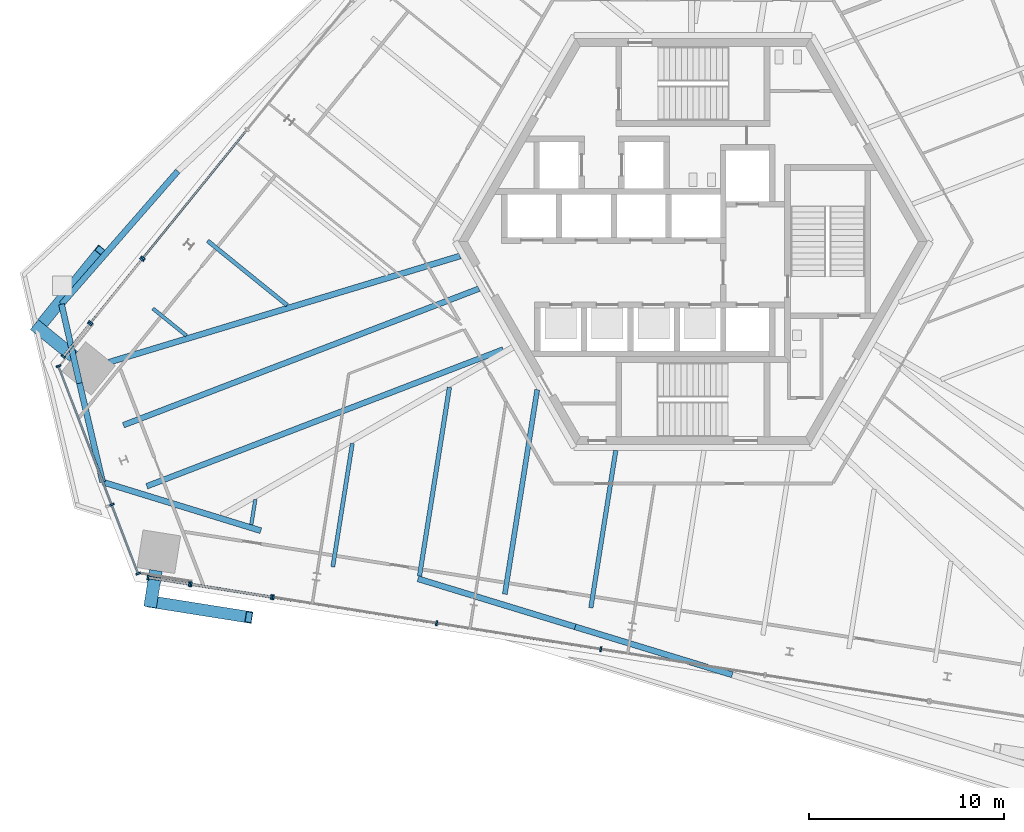
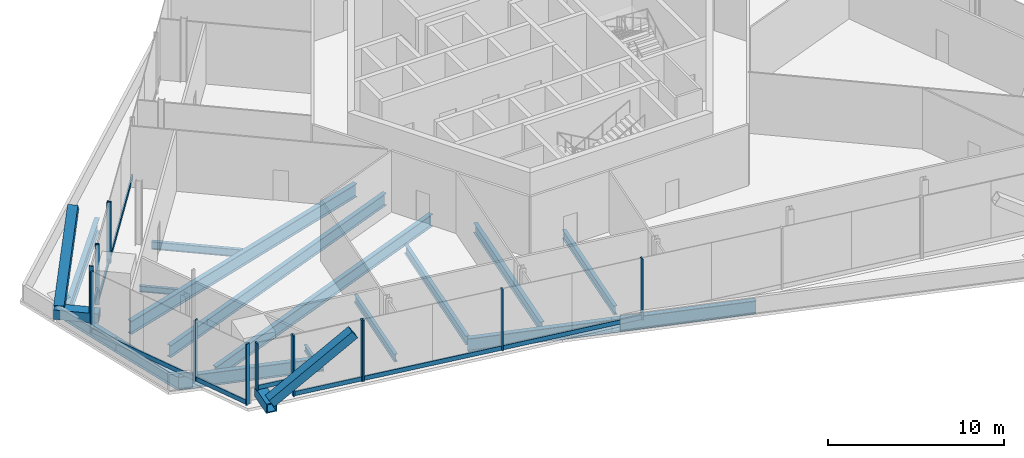
# One storey, part 4 of 22: 28 members, 16 beams, 7 elements without a shape of their own.
"""IFC4 building model written with IfcOpenShell, lengths in metres."""

from ifc_helpers import new_model, si_unit, direction, frame, origin, origin_2d, place, context, subcontext, project, spatial, rectangle, hollow_rectangle, i_section, extrude, source, transform, mapped, material, material_profile, profile_set, type_object, element, aggregate, save


model = new_model("IFC4")

# Units and contexts
model_context = context("Model", 3, precision=1e-05, world=origin(), true_north=direction((0.0, 1.0)))
body_context = subcontext(model_context, "Body", "Model", "MODEL_VIEW")
ifc_project = project(units=[si_unit("LENGTHUNIT", "METRE"), si_unit("AREAUNIT", "SQUARE_METRE"), si_unit("VOLUMEUNIT", "CUBIC_METRE"), si_unit("PLANEANGLEUNIT", "RADIAN"), si_unit("MASSUNIT", "GRAM", prefix="KILO")], contexts=[model_context])

# Site, building, storey
site_placement = place(None, origin())
site = spatial("IfcSite", under=ifc_project, at=site_placement, CompositionType="ELEMENT")
building_placement = place(site_placement, origin())
building = spatial("IfcBuilding", under=site, at=building_placement, Name="Triune Harvest Tower", CompositionType="ELEMENT")
storey_placement = place(building_placement, frame((0.0, 0.0, 138.10009765625)))
storey = spatial("IfcBuildingStorey", under=building, at=storey_placement, Name="L35", CompositionType="ELEMENT", Elevation=138.10009765625)

# Beams
ifc_material_1 = material(Name="Steel ASTM A992 Gr 50", Category="steel")
ifc_material_profile_1 = material_profile(ifc_material_1, i_section(OverallWidth=0.22900390625, OverallDepth=0.612060546875, WebThickness=0.011962890625, FlangeThickness=0.01953125, at=origin_2d()), Name="W24x84")
ifc_profile_set_1 = profile_set([ifc_material_profile_1], Name="Steel ASTM A992 Gr 50")
beam_type_1 = type_object("IfcBeamType", Name="JT-3 Floor joist W24x84", PredefinedType="JOIST", material=ifc_profile_set_1)
beam_1_placement = place(storey_placement, frame((-13.99951171875, -17.12841796875, -0.506103515625), z_axis=(0.15643554781, 0.987688169101, 0.0), x_axis=(-0.987688169101, 0.15643554781, 0.0)))
element("IfcBeam", 1, at=beam_1_placement, inside=storey, type_object=beam_type_1, Name="beam/L35/JT27", PredefinedType="JOIST", context=body_context, shape_type="SweptSolid", body=[
    extrude(i_section(OverallWidth=0.22900390625, OverallDepth=0.612060546875, WebThickness=0.011962890625, FlangeThickness=0.01953125, at=origin_2d()), origin(), (0.0, 0.0, 1.0), 9.780517578125),
])
ifc_material_2 = material(Name="Steel ASTM A992 Gr 50", Category="steel")
ifc_material_profile_2 = material_profile(ifc_material_2, i_section(OverallWidth=0.2919921875, OverallDepth=0.8583984375, WebThickness=0.01708984375, FlangeThickness=0.031005859375, at=origin_2d()), Name="W33x169")
ifc_profile_set_2 = profile_set([ifc_material_profile_2], Name="Steel ASTM A992 Gr 50")
beam_type_2 = type_object("IfcBeamType", Name="JT-7 Floor joist W33x169", PredefinedType="JOIST", material=ifc_profile_set_2)
beam_2_placement = place(storey_placement, frame((-27.962890625, -12.528076171875, -0.62939453125), z_axis=(0.933583330302, 0.358360384783, 0.0), x_axis=(-0.358360384783, 0.933583330302, 0.0)))
element("IfcBeam", 2, at=beam_2_placement, inside=storey, type_object=beam_type_2, Name="beam/L35/JT24", PredefinedType="JOIST", context=body_context, shape_type="SweptSolid", body=[
    extrude(i_section(OverallWidth=0.2919921875, OverallDepth=0.8583984375, WebThickness=0.01708984375, FlangeThickness=0.031005859375, at=origin_2d()), origin(), (0.0, 0.0, 1.0), 19.543701171875),
])
ifc_material_3 = material(Name="Steel ASTM A992 Gr 50", Category="steel")
ifc_material_profile_3 = material_profile(ifc_material_3, i_section(OverallWidth=0.3046875, OverallDepth=0.914306640625, WebThickness=0.0166015625, FlangeThickness=0.02587890625, at=origin_2d()), Name="W36x160")
ifc_profile_set_3 = profile_set([ifc_material_profile_3], Name="Steel ASTM A992 Gr 50")
beam_type_3 = type_object("IfcBeamType", Name="SB-1 Spandrel beam W36x160", PredefinedType="SPANDREL", material=ifc_profile_set_3)
beam_3_placement = place(storey_placement, frame((-26.37451171875, 3.607421875, -0.6572265625), z_axis=(-0.657914230228, -0.75309286656, 0.0), x_axis=(0.75309286656, -0.657914230228, 0.0)))
element("IfcBeam", 3, at=beam_3_placement, inside=storey, type_object=beam_type_3, Name="beam/L35/WB12", PredefinedType="SPANDREL", context=body_context, shape_type="SweptSolid", body=[
    extrude(i_section(OverallWidth=0.3046875, OverallDepth=0.914306640625, WebThickness=0.0166015625, FlangeThickness=0.02587890625, at=origin_2d()), origin(), (0.0, 0.0, 1.0), 9.049560546875),
])
beam_4_placement = place(storey_placement, frame((-32.328369140625, -3.207763671875, -0.6572265625), z_axis=(0.221951891027, -0.97505761782, 0.0), x_axis=(0.97505761782, 0.221951891027, 0.0)))
element("IfcBeam", 4, at=beam_4_placement, inside=storey, type_object=beam_type_3, Name="beam/L35/WB13", PredefinedType="SPANDREL", context=body_context, shape_type="SweptSolid", body=[
    extrude(i_section(OverallWidth=0.3046875, OverallDepth=0.914306640625, WebThickness=0.0166015625, FlangeThickness=0.02587890625, at=origin_2d()), origin(), (0.0, 0.0, 1.0), 4.14697265625),
])
beam_5_placement = place(storey_placement, frame((-31.407958984375, -7.251220703125, -0.6572265625), z_axis=(0.227960284337, -0.973670431288, 0.0), x_axis=(0.973670431288, 0.227960284337, 0.0)))
element("IfcBeam", 5, at=beam_5_placement, inside=storey, type_object=beam_type_3, Name="beam/L35/WB14", PredefinedType="SPANDREL", context=body_context, shape_type="SweptSolid", body=[
    extrude(i_section(OverallWidth=0.3046875, OverallDepth=0.914306640625, WebThickness=0.0166015625, FlangeThickness=0.02587890625, at=origin_2d()), origin(), (0.0, 0.0, 1.0), 5.1962890625),
])

# Curtain wall, members
ifc_material_4 = material(Name="Aluminium bronze anodised", Category="aluminium")
curtain_wall_type_1 = type_object("IfcCurtainWallType", Name="CW-4 Sky lobby tall glazing wall", PredefinedType="NOTDEFINED", material=ifc_material_4)
curtain_wall_1_placement = place(storey_placement, origin())
curtain_wall_1 = element("IfcCurtainWall", 6, at=curtain_wall_1_placement, inside=storey, type_object=curtain_wall_type_1, Name="CW-4 B4-F4 L35 run 1")
ifc_material_5 = material(Name="Aluminium bronze anodised", Category="aluminium")
ifc_material_profile_4 = material_profile(ifc_material_5, rectangle(XDim=0.10009765625, YDim=0.300048828125, at=origin_2d()), Name="TR-4 transom 100 x 300")
ifc_profile_set_4 = profile_set([ifc_material_profile_4], Name="Aluminium bronze anodised")
member_type_1 = type_object("IfcMemberType", Name="TR-4 transom 100 x 300", PredefinedType="USERDEFINED", material=ifc_profile_set_4)
member_1_placement = place(storey_placement, frame((-32.466796875, -6.414306640625, 0.14990234375), z_axis=(0.358380259088, -0.933575701213, 0.0), x_axis=(0.933575701213, 0.358380259088, 0.0)))
member_1 = element("IfcMember", 7, at=member_1_placement, type_object=member_type_1, Name="CW-4 transom B4-F4 1.1", ObjectType="TRANSOM", PredefinedType="USERDEFINED", context=body_context, shape_type="SweptSolid", body=[
    extrude(rectangle(XDim=0.10009765625, YDim=0.300048828125, at=origin_2d()), origin(), (0.0, 0.0, 1.0), 7.513916015625),
])
member_2_placement = place(storey_placement, frame((-29.74169921875, -13.51318359375, 0.14990234375), z_axis=(0.358371544165, -0.933579046644, 0.0), x_axis=(0.933579046644, 0.358371544165, 0.0)))
member_2 = element("IfcMember", 8, at=member_2_placement, type_object=member_type_1, Name="CW-4 transom B4-F4 1.2", ObjectType="TRANSOM", PredefinedType="USERDEFINED", context=body_context, shape_type="SweptSolid", body=[
    extrude(rectangle(XDim=0.10009765625, YDim=0.300048828125, at=origin_2d()), origin(), (0.0, 0.0, 1.0), 3.689697265625),
])

# Beams
shared_shape_1 = source(origin(), body_context, "Body", "SweptSolid", [
    extrude(i_section(OverallWidth=0.3046875, OverallDepth=0.914306640625, WebThickness=0.0166015625, FlangeThickness=0.02587890625, at=origin_2d()), origin(), (0.0, 0.0, 1.0), 8.474609375),
])
beam_6_placement = place(storey_placement, frame((-30.223388671875, -12.310791015625, -0.6572265625), z_axis=(0.955738512563, -0.29421742913, 0.0), x_axis=(0.29421742913, 0.955738512563, 0.0)))
element("IfcBeam", 9, at=beam_6_placement, inside=storey, type_object=beam_type_3, Name="beam/L35/WB15", PredefinedType="SPANDREL", context=body_context, shape_type="MappedRepresentation", body=[
    mapped(shared_shape_1, transform((0.0, 0.0, 0.0), scale=1.0)),
])
shared_shape_2 = source(origin(), body_context, "Body", "SweptSolid", [
    extrude(i_section(OverallWidth=0.3046875, OverallDepth=0.914306640625, WebThickness=0.0166015625, FlangeThickness=0.02587890625, at=origin_2d()), origin(), (0.0, 0.0, 1.0), 8.41455078125),
])
beam_7_placement = place(storey_placement, frame((-6.030517578125, -19.724365234375, -0.6572265625), z_axis=(0.956303808943, -0.292374802267, 0.0), x_axis=(0.292374802267, 0.956303808943, 0.0)))
element("IfcBeam", 10, at=beam_7_placement, inside=storey, type_object=beam_type_3, Name="beam/L35/WB17", PredefinedType="SPANDREL", context=body_context, shape_type="MappedRepresentation", body=[
    mapped(shared_shape_2, transform((0.0, 0.0, 0.0), scale=1.0)),
])
shared_shape_3 = source(origin(), body_context, "Body", "SweptSolid", [
    extrude(i_section(OverallWidth=0.3046875, OverallDepth=0.914306640625, WebThickness=0.0166015625, FlangeThickness=0.02587890625, at=origin_2d()), origin(), (0.0, 0.0, 1.0), 8.414306640625),
])
beam_8_placement = place(storey_placement, frame((-14.0771484375, -17.26416015625, -0.6572265625), z_axis=(0.956301328629, -0.292382914791, 0.0), x_axis=(0.292382914791, 0.956301328629, 0.0)))
element("IfcBeam", 11, at=beam_8_placement, inside=storey, type_object=beam_type_3, Name="beam/L35/WB16", PredefinedType="SPANDREL", context=body_context, shape_type="MappedRepresentation", body=[
    mapped(shared_shape_3, transform((0.0, 0.0, 0.0), scale=1.0)),
])
ifc_material_6 = material(Name="Steel ASTM A992 Gr 50", Category="steel")
ifc_material_profile_5 = material_profile(ifc_material_6, i_section(OverallWidth=0.307373046875, OverallDepth=0.922119140625, WebThickness=0.018310546875, FlangeThickness=0.030029296875, at=origin_2d()), Name="W36x182")
ifc_profile_set_5 = profile_set([ifc_material_profile_5], Name="Steel ASTM A992 Gr 50")
beam_type_4 = type_object("IfcBeamType", Name="HG-2 Hip girder W36x182", PredefinedType="BEAM", material=ifc_profile_set_5)
shared_shape_4 = source(origin(), body_context, "Body", "SweptSolid", [
    extrude(i_section(OverallWidth=0.307373046875, OverallDepth=0.922119140625, WebThickness=0.018310546875, FlangeThickness=0.030029296875, at=origin_2d()), origin(), (0.0, 0.0, 1.0), 18.76123046875),
])
beam_9_placement = place(storey_placement, frame((-29.882080078125, -6.174560546875, -0.6611328125), z_axis=(0.957098686539, 0.289762151126, 0.0), x_axis=(-0.289762151126, 0.957098686539, 0.0)))
element("IfcBeam", 12, at=beam_9_placement, inside=storey, type_object=beam_type_4, Name="beam/L35/HG5", PredefinedType="BEAM", context=body_context, shape_type="MappedRepresentation", body=[
    mapped(shared_shape_4, transform((0.0, 0.0, 0.0), scale=1.0)),
])
ifc_material_7 = material(Name="Steel ASTM A992 Gr 50", Category="steel")
ifc_material_profile_6 = material_profile(ifc_material_7, i_section(OverallWidth=0.180908203125, OverallDepth=0.41650390625, WebThickness=0.010986328125, FlangeThickness=0.01806640625, at=origin_2d()), Name="W16x57")
ifc_profile_set_6 = profile_set([ifc_material_profile_6], Name="Steel ASTM A992 Gr 50")
beam_type_5 = type_object("IfcBeamType", Name="JT-1 Floor joist W16x57", PredefinedType="JOIST", material=ifc_profile_set_6)
shared_shape_5 = source(origin(), body_context, "Body", "SweptSolid", [
    extrude(i_section(OverallWidth=0.180908203125, OverallDepth=0.41650390625, WebThickness=0.010986328125, FlangeThickness=0.01806640625, at=origin_2d()), origin(), (0.0, 0.0, 1.0), 1.304443359375),
])
beam_10_placement = place(storey_placement, frame((-22.61181640625, -14.494384765625, -0.408447265625), z_axis=(0.156471951593, 0.987682402579, 0.0), x_axis=(-0.987682402579, 0.156471951593, 0.0)))
element("IfcBeam", 13, at=beam_10_placement, inside=storey, type_object=beam_type_5, Name="beam/L35/JT25", PredefinedType="JOIST", context=body_context, shape_type="MappedRepresentation", body=[
    mapped(shared_shape_5, transform((0.0, 0.0, 0.0), scale=1.0)),
])
ifc_material_8 = material(Name="Steel ASTM A992 Gr 50", Category="steel")
ifc_material_profile_7 = material_profile(ifc_material_8, i_section(OverallWidth=0.2099609375, OverallDepth=0.535888671875, WebThickness=0.010986328125, FlangeThickness=0.017333984375, at=origin_2d()), Name="W21x68")
ifc_profile_set_7 = profile_set([ifc_material_profile_7], Name="Steel ASTM A992 Gr 50")
beam_type_6 = type_object("IfcBeamType", Name="JT-2 Floor joist W21x68", PredefinedType="JOIST", material=ifc_profile_set_7)
shared_shape_6 = source(origin(), body_context, "Body", "SweptSolid", [
    extrude(i_section(OverallWidth=0.2099609375, OverallDepth=0.535888671875, WebThickness=0.010986328125, FlangeThickness=0.017333984375, at=origin_2d()), origin(), (0.0, 0.0, 1.0), 6.399169921875),
])
beam_11_placement = place(storey_placement, frame((-18.439697265625, -16.657470703125, -0.468017578125), z_axis=(0.156424922472, 0.987689851942, 0.0), x_axis=(-0.987689851942, 0.156424922472, 0.0)))
element("IfcBeam", 14, at=beam_11_placement, inside=storey, type_object=beam_type_6, Name="beam/L35/JT26", PredefinedType="JOIST", context=body_context, shape_type="MappedRepresentation", body=[
    mapped(shared_shape_6, transform((0.0, 0.0, 0.0), scale=1.0)),
])
shared_shape_7 = source(origin(), body_context, "Body", "SweptSolid", [
    extrude(i_section(OverallWidth=0.22900390625, OverallDepth=0.612060546875, WebThickness=0.011962890625, FlangeThickness=0.01953125, at=origin_2d()), origin(), (0.0, 0.0, 1.0), 8.1533203125),
])
beam_12_placement = place(storey_placement, frame((-5.22705078125, -18.75, -0.506103515625), z_axis=(0.156425387356, 0.987689778316, 0.0), x_axis=(-0.987689778316, 0.156425387356, 0.0)))
element("IfcBeam", 15, at=beam_12_placement, inside=storey, type_object=beam_type_1, Name="beam/L35/JT29", PredefinedType="JOIST", context=body_context, shape_type="MappedRepresentation", body=[
    mapped(shared_shape_7, transform((0.0, 0.0, 0.0), scale=1.0)),
])
shared_shape_8 = source(origin(), body_context, "Body", "SweptSolid", [
    extrude(i_section(OverallWidth=0.180908203125, OverallDepth=0.41650390625, WebThickness=0.010986328125, FlangeThickness=0.01806640625, at=origin_2d()), origin(), (0.0, 0.0, 1.0), 2.21484375),
])
beam_13_placement = place(storey_placement, frame((-27.655517578125, -3.425048828125, -0.408447265625), z_axis=(0.777144744874, -0.629321893402, 0.0), x_axis=(0.629321893402, 0.777144744874, 0.0)))
element("IfcBeam", 16, at=beam_13_placement, inside=storey, type_object=beam_type_5, Name="beam/L35/JT22", PredefinedType="JOIST", context=body_context, shape_type="MappedRepresentation", body=[
    mapped(shared_shape_8, transform((0.0, 0.0, 0.0), scale=1.0)),
])
ifc_material_9 = material(Name="Steel ASTM A992 Gr 50", Category="steel")
ifc_material_profile_8 = material_profile(ifc_material_9, i_section(OverallWidth=0.2919921875, OverallDepth=0.8408203125, WebThickness=0.0146484375, FlangeThickness=0.021728515625, at=origin_2d()), Name="W33x130")
ifc_profile_set_8 = profile_set([ifc_material_profile_8], Name="Steel ASTM A992 Gr 50")
beam_type_7 = type_object("IfcBeamType", Name="JT-6 Floor joist W33x130", PredefinedType="JOIST", material=ifc_profile_set_8)
shared_shape_9 = source(origin(), body_context, "Body", "SweptSolid", [
    extrude(i_section(OverallWidth=0.2919921875, OverallDepth=0.8408203125, WebThickness=0.0146484375, FlangeThickness=0.021728515625, at=origin_2d()), origin(), (0.0, 0.0, 1.0), 19.49951171875),
])
beam_14_placement = place(storey_placement, frame((-29.163330078125, -9.400634765625, -0.62060546875), z_axis=(0.933579679922, 0.358369894433, 0.0), x_axis=(-0.358369894433, 0.933579679922, 0.0)))
element("IfcBeam", 17, at=beam_14_placement, inside=storey, type_object=beam_type_7, Name="beam/L35/JT23", PredefinedType="JOIST", context=body_context, shape_type="MappedRepresentation", body=[
    mapped(shared_shape_9, transform((0.0, 0.0, 0.0), scale=1.0)),
])
ifc_material_10 = material(Name="Steel ASTM A992 Gr 50", Category="steel")
ifc_material_profile_9 = material_profile(ifc_material_10, i_section(OverallWidth=0.253662109375, OverallDepth=0.683349609375, WebThickness=0.012451171875, FlangeThickness=0.01904296875, at=origin_2d()), Name="W27x94")
ifc_profile_set_9 = profile_set([ifc_material_profile_9], Name="Steel ASTM A992 Gr 50")
beam_type_8 = type_object("IfcBeamType", Name="JT-4 Floor joist W27x94", PredefinedType="JOIST", material=ifc_profile_set_9)
shared_shape_10 = source(origin(), body_context, "Body", "SweptSolid", [
    extrude(i_section(OverallWidth=0.253662109375, OverallDepth=0.683349609375, WebThickness=0.012451171875, FlangeThickness=0.01904296875, at=origin_2d()), origin(), (0.0, 0.0, 1.0), 10.598876953125),
])
beam_15_placement = place(storey_placement, frame((-9.63134765625, -18.052490234375, -0.541748046875), z_axis=(0.156452261389, 0.987685521766, 0.0), x_axis=(-0.987685521766, 0.156452261389, 0.0)))
element("IfcBeam", 18, at=beam_15_placement, inside=storey, type_object=beam_type_8, Name="beam/L35/JT28", PredefinedType="JOIST", context=body_context, shape_type="MappedRepresentation", body=[
    mapped(shared_shape_10, transform((0.0, 0.0, 0.0), scale=1.0)),
])
shared_shape_11 = source(origin(), body_context, "Body", "SweptSolid", [
    extrude(i_section(OverallWidth=0.2099609375, OverallDepth=0.535888671875, WebThickness=0.010986328125, FlangeThickness=0.017333984375, at=origin_2d()), origin(), (0.0, 0.0, 1.0), 5.239990234375),
])
beam_16_placement = place(storey_placement, frame((-24.849365234375, 0.040283203125, -0.468017578125), z_axis=(0.777150465789, -0.629314828622, 0.0), x_axis=(0.629314828622, 0.777150465789, 0.0)))
element("IfcBeam", 19, at=beam_16_placement, inside=storey, type_object=beam_type_6, Name="beam/L35/JT21", PredefinedType="JOIST", context=body_context, shape_type="MappedRepresentation", body=[
    mapped(shared_shape_11, transform((0.0, 0.0, 0.0), scale=1.0)),
])

# Members
ifc_material_11 = material(Name="Steel ASTM A572 Gr 50", Category="steel")
ifc_material_profile_10 = material_profile(ifc_material_11, hollow_rectangle(XDim=0.64990234375, YDim=0.64990234375, WallThickness=0.070068359375, at=origin_2d()), Name="Box 650x650x70")
ifc_profile_set_10 = profile_set([ifc_material_profile_10], Name="Steel ASTM A572 Gr 50")
member_type_2 = type_object("IfcMemberType", Name="BS-1 Brace stub Box 650x650x70", PredefinedType="STRUT", material=ifc_profile_set_10)
shared_shape_12 = source(origin(), body_context, "Body", "SweptSolid", [
    extrude(hollow_rectangle(XDim=0.64990234375, YDim=0.64990234375, WallThickness=0.070068359375, at=origin_2d()), origin(), (0.0, 0.0, 1.0), 1.893798828125),
])
member_3_placement = place(storey_placement, frame((-27.498291015625, -16.842529296875, 0.599853515625), z_axis=(-0.156512038375, -0.987676051063, 0.0), x_axis=(0.987676051063, -0.156512038375, 0.0)))
element("IfcMember", 20, at=member_3_placement, inside=storey, type_object=member_type_2, Name="brace/B4-F5/stub1", PredefinedType="STRUT", context=body_context, shape_type="MappedRepresentation", body=[
    mapped(shared_shape_12, transform((0.0, 0.0, 0.0), scale=1.0)),
])
ifc_material_12 = material(Name="Steel ASTM A572 Gr 50", Category="steel")
ifc_material_profile_11 = material_profile(ifc_material_12, hollow_rectangle(XDim=0.60009765625, YDim=0.60009765625, WallThickness=0.0400390625, at=origin_2d()), Name="Box 600x600x40")
ifc_profile_set_11 = profile_set([ifc_material_profile_11], Name="Steel ASTM A572 Gr 50")
member_type_3 = type_object("IfcMemberType", Name="BR-2 Brace Box 600x600x40", PredefinedType="BRACE", material=ifc_profile_set_11)
shared_shape_13 = source(origin(), body_context, "Body", "SweptSolid", [
    extrude(hollow_rectangle(XDim=0.60009765625, YDim=0.60009765625, WallThickness=0.0400390625, at=origin_2d()), origin(), (0.0, 0.0, 1.0), 6.1708984375),
])
for number, where, z_axis, x_axis, name in (
    (21, (-33.503173828125, -4.427490234375, 0.889892578125), (0.517604346429, 0.639181825339, 0.568799028404), (-0.777142922883, 0.629324143357, 0.0), "brace/B4-F3/d2/1"),
    (22, (-27.750732421875, -18.436279296875, 0.889892578125), (0.812346519413, -0.128698350346, 0.568796859183), (0.156476335476, 0.98768170806, 0.0), "brace/B4-F5/d1/1"),
):
    element("IfcMember", number, at=place(storey_placement, frame(where, z_axis=z_axis, x_axis=x_axis)), inside=storey, type_object=member_type_3, Name=name, PredefinedType="BRACE", context=body_context, shape_type="MappedRepresentation", body=[
        mapped(shared_shape_13, transform((0.0, 0.0, 0.0), scale=1.0)),
    ])
shared_shape_14 = source(origin(), body_context, "Body", "SweptSolid", [
    extrude(hollow_rectangle(XDim=0.64990234375, YDim=0.64990234375, WallThickness=0.070068359375, at=origin_2d()), origin(), (0.0, 0.0, 1.0), 2.59375),
])
member_4_placement = place(storey_placement, frame((-31.705078125, -5.883544921875, 0.599853515625), z_axis=(-0.777126486899, 0.629344439366, 0.0), x_axis=(-0.629344439366, -0.777126486899, 0.0)))
element("IfcMember", 23, at=member_4_placement, inside=storey, type_object=member_type_2, Name="brace/B4-F3/stub3", PredefinedType="STRUT", context=body_context, shape_type="MappedRepresentation", body=[
    mapped(shared_shape_14, transform((0.0, 0.0, 0.0), scale=1.0)),
])

# Curtain wall, members
ifc_material_13 = material(Name="Aluminium bronze anodised", Category="aluminium")
curtain_wall_type_2 = type_object("IfcCurtainWallType", Name="CW-9 Sky lobby tall glazing wall with insulated spandrel infill", PredefinedType="NOTDEFINED", material=ifc_material_13)
curtain_wall_2_placement = place(storey_placement, origin())
curtain_wall_2 = element("IfcCurtainWall", 24, at=curtain_wall_2_placement, inside=storey, type_object=curtain_wall_type_2, Name="CW-9 B4-F3 L35 run 201")
ifc_material_14 = material(Name="Aluminium bronze anodised", Category="aluminium")
ifc_material_profile_12 = material_profile(ifc_material_14, rectangle(XDim=0.25, YDim=0.090087890625, at=origin_2d()), Name="MU-4 mullion 90 x 250")
ifc_profile_set_12 = profile_set([ifc_material_profile_12], Name="Aluminium bronze anodised")
member_type_4 = type_object("IfcMemberType", Name="MU-4 mullion 90 x 250", PredefinedType="MULLION", material=ifc_profile_set_12)
shared_shape_15 = source(origin(), body_context, "Body", "SweptSolid", [
    extrude(rectangle(XDim=0.25, YDim=0.090087890625, at=origin_2d()), origin(), (0.0, 0.0, 1.0), 3.255126953125),
])
member_5_placement = place(storey_placement, frame((-30.89208984375, -4.221923828125, 0.98486328125), z_axis=(0.0, 0.0, 1.0), x_axis=(0.777145788694, -0.629320604394, 0.0)))
member_5 = element("IfcMember", 25, at=member_5_placement, type_object=member_type_4, Name="CW-9 mullion B4-F3 201.1", PredefinedType="MULLION", context=body_context, shape_type="MappedRepresentation", body=[
    mapped(shared_shape_15, transform((0.0, 0.0, 0.0), scale=1.0)),
])
member_6_placement = place(storey_placement, frame((-32.24072265625, -5.88720703125, 0.98486328125), z_axis=(0.0, 0.0, 1.0), x_axis=(0.777145788694, -0.629320604394, 0.0)))
member_6 = element("IfcMember", 26, at=member_6_placement, type_object=member_type_4, Name="CW-9 mullion B4-F3 201.2", PredefinedType="MULLION", context=body_context, shape_type="MappedRepresentation", body=[
    mapped(shared_shape_15, transform((0.0, 0.0, 0.0), scale=1.0)),
])

curtain_wall_3_placement = place(storey_placement, origin())
curtain_wall_3 = element("IfcCurtainWall", 27, at=curtain_wall_3_placement, inside=storey, type_object=curtain_wall_type_2, Name="CW-9 B4-F5 L35 run 1")
member_7_placement = place(storey_placement, frame((-27.89892578125, -17.197998046875, 0.98486328125), z_axis=(0.0, 0.0, 1.0), x_axis=(0.156427089288, 0.987689508771, 0.0)))
member_7 = element("IfcMember", 28, at=member_7_placement, type_object=member_type_4, Name="CW-9 mullion B4-F5 1.1", PredefinedType="MULLION", context=body_context, shape_type="MappedRepresentation", body=[
    mapped(shared_shape_15, transform((0.0, 0.0, 0.0), scale=1.0)),
])
member_8_placement = place(storey_placement, frame((-25.7822265625, -17.533203125, 0.98486328125), z_axis=(0.0, 0.0, 1.0), x_axis=(0.156427089288, 0.987689508771, 0.0)))
member_8 = element("IfcMember", 29, at=member_8_placement, type_object=member_type_4, Name="CW-9 mullion B4-F5 1.2", PredefinedType="MULLION", context=body_context, shape_type="MappedRepresentation", body=[
    mapped(shared_shape_15, transform((0.0, 0.0, 0.0), scale=1.0)),
])

# Curtain wall, member
curtain_wall_4_placement = place(storey_placement, origin())
curtain_wall_4 = element("IfcCurtainWall", 30, at=curtain_wall_4_placement, inside=storey, type_object=curtain_wall_type_1, Name="CW-4 B4-F3 L35 run 1101")
shared_shape_16 = source(origin(), body_context, "Body", "SweptSolid", [
    extrude(rectangle(XDim=0.25, YDim=0.090087890625, at=origin_2d()), origin(), (0.0, 0.0, 1.0), 4.239990234375),
])
member_9_placement = place(storey_placement, frame((-28.156982421875, -0.84423828125, 0.0), z_axis=(0.0, 0.0, 1.0), x_axis=(0.777145004039, -0.629321573361, 0.0)))
member_9 = element("IfcMember", 31, at=member_9_placement, type_object=member_type_4, Name="CW-4 mullion B4-F3 1101.9", PredefinedType="MULLION", context=body_context, shape_type="MappedRepresentation", body=[
    mapped(shared_shape_16, transform((0.0, 0.0, 0.0), scale=1.0)),
])

# Curtain wall, members
curtain_wall_5_placement = place(storey_placement, origin())
curtain_wall_5 = element("IfcCurtainWall", 32, at=curtain_wall_5_placement, inside=storey, type_object=curtain_wall_type_2, Name="CW-9 B4-F3 L35 run 2101")
member_10_placement = place(storey_placement, frame((-28.213623046875, -0.914306640625, 0.0), z_axis=(0.0, 0.0, 1.0), x_axis=(0.777150749619, -0.629314478116, 0.0)))
member_10 = element("IfcMember", 33, at=member_10_placement, type_object=member_type_4, Name="CW-9 mullion B4-F3 2101.1", PredefinedType="MULLION", context=body_context, shape_type="MappedRepresentation", body=[
    mapped(shared_shape_16, transform((0.0, 0.0, 0.0), scale=1.0)),
])
member_11_placement = place(storey_placement, frame((-30.83544921875, -4.15185546875, 0.0), z_axis=(0.0, 0.0, 1.0), x_axis=(0.777150749619, -0.629314478116, 0.0)))
member_11 = element("IfcMember", 34, at=member_11_placement, type_object=member_type_4, Name="CW-9 mullion B4-F3 2101.2", PredefinedType="MULLION", context=body_context, shape_type="MappedRepresentation", body=[
    mapped(shared_shape_16, transform((0.0, 0.0, 0.0), scale=1.0)),
])

# Member
member_12_placement = place(storey_placement, frame((-32.48291015625, -6.372314453125, 0.0), z_axis=(0.0, 0.0, 1.0), x_axis=(0.933580057745, 0.358368910177, 0.0)))
member_12 = element("IfcMember", 35, at=member_12_placement, type_object=member_type_4, Name="CW-4 mullion B4-F4 1.1", PredefinedType="MULLION", context=body_context, shape_type="MappedRepresentation", body=[
    mapped(shared_shape_16, transform((0.0, 0.0, 0.0), scale=1.0)),
])

member_13_placement = place(storey_placement, frame((-29.7578125, -13.47119140625, 0.0), z_axis=(0.0, 0.0, 1.0), x_axis=(0.933580057745, 0.358368910177, 0.0)))
member_13 = element("IfcMember", 36, at=member_13_placement, type_object=member_type_4, Name="CW-4 mullion B4-F4 1.3", PredefinedType="MULLION", context=body_context, shape_type="MappedRepresentation", body=[
    mapped(shared_shape_16, transform((0.0, 0.0, 0.0), scale=1.0)),
])

member_14_placement = place(storey_placement, frame((-28.4033203125, -16.999755859375, 0.0), z_axis=(0.0, 0.0, 1.0), x_axis=(0.933580057745, 0.358368910177, 0.0)))
member_14 = element("IfcMember", 37, at=member_14_placement, type_object=member_type_4, Name="CW-4 mullion B4-F4 1.4", PredefinedType="MULLION", context=body_context, shape_type="MappedRepresentation", body=[
    mapped(shared_shape_16, transform((0.0, 0.0, 0.0), scale=1.0)),
])

aggregate(curtain_wall_1, [member_12, member_13, member_14, member_1, member_2])

# Curtain wall, members
curtain_wall_6_placement = place(storey_placement, origin())
curtain_wall_6 = element("IfcCurtainWall", 38, at=curtain_wall_6_placement, inside=storey, type_object=curtain_wall_type_2, Name="CW-9 B4-F5 L35 run 101")
member_15_placement = place(storey_placement, frame((-25.693359375, -17.54736328125, 0.0), z_axis=(0.0, 0.0, 1.0), x_axis=(0.156434311067, 0.987688364982, 0.0)))
member_15 = element("IfcMember", 39, at=member_15_placement, type_object=member_type_4, Name="CW-9 mullion B4-F5 101.1", PredefinedType="MULLION", context=body_context, shape_type="MappedRepresentation", body=[
    mapped(shared_shape_16, transform((0.0, 0.0, 0.0), scale=1.0)),
])
member_16_placement = place(storey_placement, frame((-21.57861328125, -18.198974609375, 0.0), z_axis=(0.0, 0.0, 1.0), x_axis=(0.156434311067, 0.987688364982, 0.0)))
member_16 = element("IfcMember", 40, at=member_16_placement, type_object=member_type_4, Name="CW-9 mullion B4-F5 101.2", PredefinedType="MULLION", context=body_context, shape_type="MappedRepresentation", body=[
    mapped(shared_shape_16, transform((0.0, 0.0, 0.0), scale=1.0)),
])

curtain_wall_7_placement = place(storey_placement, origin())
curtain_wall_7 = element("IfcCurtainWall", 41, at=curtain_wall_7_placement, inside=storey, type_object=curtain_wall_type_1, Name="CW-4 B4-F5 L35 run 1101")
member_17_placement = place(storey_placement, frame((-21.48974609375, -18.213134765625, 0.0), z_axis=(0.0, 0.0, 1.0), x_axis=(0.156434764851, 0.98768829311, 0.0)))
member_17 = element("IfcMember", 42, at=member_17_placement, type_object=member_type_4, Name="CW-4 mullion B4-F5 1101.1", PredefinedType="MULLION", context=body_context, shape_type="MappedRepresentation", body=[
    mapped(shared_shape_16, transform((0.0, 0.0, 0.0), scale=1.0)),
])
member_18_placement = place(storey_placement, frame((-13.126708984375, -19.53759765625, 0.0), z_axis=(0.0, 0.0, 1.0), x_axis=(0.156434764851, 0.98768829311, 0.0)))
member_18 = element("IfcMember", 43, at=member_18_placement, type_object=member_type_4, Name="CW-4 mullion B4-F5 1101.3", PredefinedType="MULLION", context=body_context, shape_type="MappedRepresentation", body=[
    mapped(shared_shape_16, transform((0.0, 0.0, 0.0), scale=1.0)),
])
member_19_placement = place(storey_placement, frame((-4.71923828125, -20.869384765625, 0.0), z_axis=(0.0, 0.0, 1.0), x_axis=(0.156434764851, 0.98768829311, 0.0)))
member_19 = element("IfcMember", 44, at=member_19_placement, type_object=member_type_4, Name="CW-4 mullion B4-F5 1101.5", PredefinedType="MULLION", context=body_context, shape_type="MappedRepresentation", body=[
    mapped(shared_shape_16, transform((0.0, 0.0, 0.0), scale=1.0)),
])

# Member
shared_shape_17 = source(origin(), body_context, "Body", "SweptSolid", [
    extrude(rectangle(XDim=0.10009765625, YDim=0.300048828125, at=origin_2d()), origin(), (0.0, 0.0, 1.0), 8.377197265625),
])
member_20_placement = place(storey_placement, frame((-22.856689453125, 5.700927734375, 0.14990234375), z_axis=(-0.629325653344, -0.777141700105, 0.0), x_axis=(0.777141700105, -0.629325653344, 0.0)))
member_20 = element("IfcMember", 45, at=member_20_placement, type_object=member_type_1, Name="CW-4 transom B4-F3 1101.4", ObjectType="TRANSOM", PredefinedType="USERDEFINED", context=body_context, shape_type="MappedRepresentation", body=[
    mapped(shared_shape_17, transform((0.0, 0.0, 0.0), scale=1.0)),
])

aggregate(curtain_wall_4, [member_9, member_20])

member_21_placement = place(storey_placement, frame((-21.4453125, -18.22021484375, 0.14990234375), z_axis=(0.987687471832, -0.156439950099, 0.0), x_axis=(0.156439950099, 0.987687471832, 0.0)))
member_21 = element("IfcMember", 46, at=member_21_placement, type_object=member_type_1, Name="CW-4 transom B4-F5 1101.1", ObjectType="TRANSOM", PredefinedType="USERDEFINED", context=body_context, shape_type="MappedRepresentation", body=[
    mapped(shared_shape_17, transform((0.0, 0.0, 0.0), scale=1.0)),
])

shared_shape_18 = source(origin(), body_context, "Body", "SweptSolid", [
    extrude(rectangle(XDim=0.10009765625, YDim=0.300048828125, at=origin_2d()), origin(), (0.0, 0.0, 1.0), 8.422119140625),
])
member_22_placement = place(storey_placement, frame((-13.082275390625, -19.544677734375, 0.14990234375), z_axis=(0.987685987484, -0.156449321274, 0.0), x_axis=(0.156449321274, 0.987685987484, 0.0)))
member_22 = element("IfcMember", 47, at=member_22_placement, type_object=member_type_1, Name="CW-4 transom B4-F5 1101.2", ObjectType="TRANSOM", PredefinedType="USERDEFINED", context=body_context, shape_type="MappedRepresentation", body=[
    mapped(shared_shape_18, transform((0.0, 0.0, 0.0), scale=1.0)),
])

aggregate(curtain_wall_7, [member_17, member_18, member_19, member_21, member_22])

shared_shape_19 = source(origin(), body_context, "Body", "SweptSolid", [
    extrude(rectangle(XDim=0.10009765625, YDim=0.300048828125, at=origin_2d()), origin(), (0.0, 0.0, 1.0), 4.076171875),
])
member_23_placement = place(storey_placement, frame((-28.241943359375, -0.94921875, 0.14990234375), z_axis=(-0.629322278233, -0.777144433242, 0.0), x_axis=(0.777144433242, -0.629322278233, 0.0)))
member_23 = element("IfcMember", 48, at=member_23_placement, type_object=member_type_1, Name="CW-9 transom B4-F3 2101.1", ObjectType="TRANSOM", PredefinedType="USERDEFINED", context=body_context, shape_type="MappedRepresentation", body=[
    mapped(shared_shape_19, transform((0.0, 0.0, 0.0), scale=1.0)),
])

aggregate(curtain_wall_5, [member_10, member_11, member_23])

member_24_placement = place(storey_placement, frame((-25.64892578125, -17.554443359375, 0.14990234375), z_axis=(0.987686114068, -0.156448522131, 0.0), x_axis=(0.156448522131, 0.987686114068, 0.0)))
member_24 = element("IfcMember", 49, at=member_24_placement, type_object=member_type_1, Name="CW-9 transom B4-F5 101.1", ObjectType="TRANSOM", PredefinedType="USERDEFINED", context=body_context, shape_type="MappedRepresentation", body=[
    mapped(shared_shape_19, transform((0.0, 0.0, 0.0), scale=1.0)),
])

aggregate(curtain_wall_6, [member_15, member_16, member_24])

shared_shape_20 = source(origin(), body_context, "Body", "SweptSolid", [
    extrude(rectangle(XDim=0.10009765625, YDim=0.300048828125, at=origin_2d()), origin(), (0.0, 0.0, 1.0), 2.052978515625),
])
member_25_placement = place(storey_placement, frame((-30.92041015625, -4.2568359375, 1.135009765625), z_axis=(-0.629324796849, -0.77714239369, 0.0), x_axis=(0.77714239369, -0.629324796849, 0.0)))
member_25 = element("IfcMember", 50, at=member_25_placement, type_object=member_type_1, Name="CW-9 transom B4-F3 201.1", ObjectType="TRANSOM", PredefinedType="USERDEFINED", context=body_context, shape_type="MappedRepresentation", body=[
    mapped(shared_shape_20, transform((0.0, 0.0, 0.0), scale=1.0)),
])

aggregate(curtain_wall_2, [member_5, member_6, member_25])

member_26_placement = place(storey_placement, frame((-27.8544921875, -17.205078125, 1.135009765625), z_axis=(0.987698281464, -0.156371687952, 0.0), x_axis=(0.156371687952, 0.987698281464, 0.0)))
member_26 = element("IfcMember", 51, at=member_26_placement, type_object=member_type_1, Name="CW-9 transom B4-F5 1.1", ObjectType="TRANSOM", PredefinedType="USERDEFINED", context=body_context, shape_type="MappedRepresentation", body=[
    mapped(shared_shape_20, transform((0.0, 0.0, 0.0), scale=1.0)),
])

aggregate(curtain_wall_3, [member_7, member_8, member_26])

save(model, "model.ifc")
